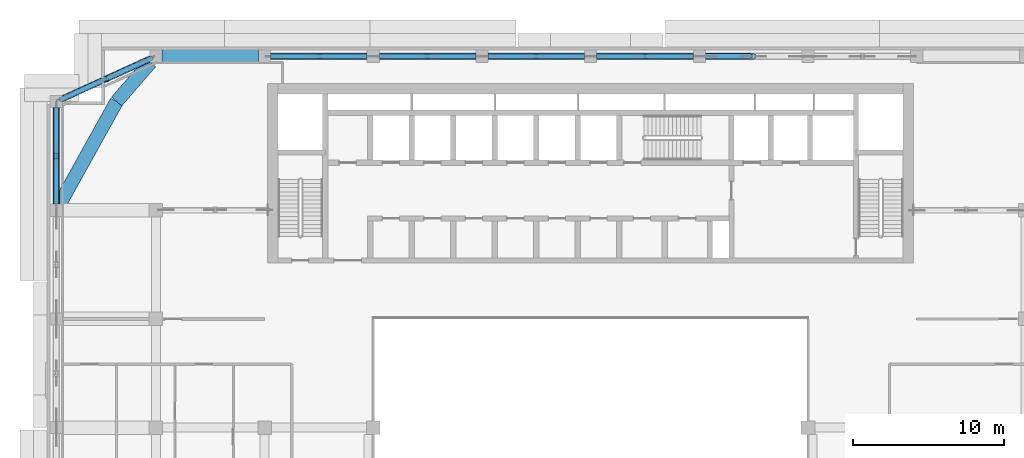
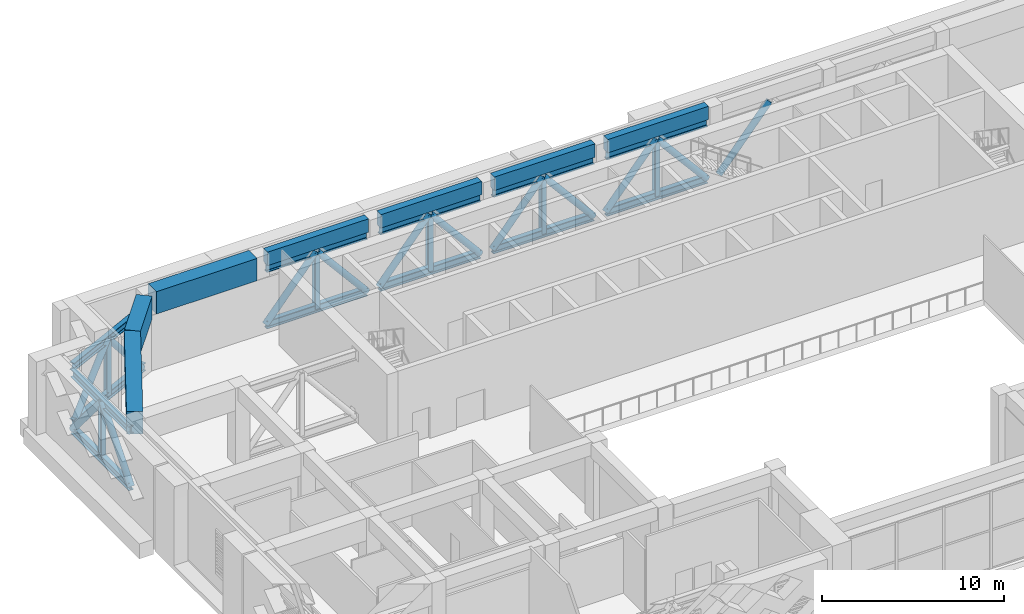
# One storey, part 6 of 20: 31 members, 7 beams.
"""IFC4 building model written with IfcOpenShell, lengths in metres."""

from ifc_helpers import new_model, si_unit, direction, frame, origin, origin_2d, place, context, subcontext, project, spatial, rectangle, hollow_circle, i_section, extrude, source, transform, mapped, material, material_profile, profile_set, type_object, element, save


model = new_model("IFC4")

# Units and contexts
model_context = context("Model", 3, precision=1e-05, world=origin(), true_north=direction((0.0, 1.0)))
body_context = subcontext(model_context, "Body", "Model", "MODEL_VIEW")
ifc_project = project(units=[si_unit("LENGTHUNIT", "METRE"), si_unit("AREAUNIT", "SQUARE_METRE"), si_unit("VOLUMEUNIT", "CUBIC_METRE"), si_unit("PLANEANGLEUNIT", "RADIAN"), si_unit("MASSUNIT", "GRAM", prefix="KILO")], contexts=[model_context])

# Site, building, storey
site_placement = place(None, origin())
site = spatial("IfcSite", under=ifc_project, at=site_placement, CompositionType="ELEMENT")
building_placement = place(site_placement, origin())
building = spatial("IfcBuilding", under=site, at=building_placement, Name="Saffron Iwan Residences", CompositionType="ELEMENT")
storey_placement = place(building_placement, frame((0.0, 0.0, 206.0)))
storey = spatial("IfcBuildingStorey", under=building, at=storey_placement, Name="L55", CompositionType="ELEMENT", Elevation=206.0)

# Beams
ifc_material_1 = material(Name="Concrete C50/60", Category="concrete")
ifc_material_profile_1 = material_profile(ifc_material_1, rectangle(XDim=0.449951171875, YDim=0.89990234375, at=origin_2d()), Name="RC 450x900")
ifc_profile_set_1 = profile_set([ifc_material_profile_1], Name="Concrete C50/60")
beam_type_1 = type_object("IfcBeamType", Name="SPANDREL BEAM RC 450x900 C50/60 TOP 5220", PredefinedType="SPANDREL", material=ifc_profile_set_1)
shared_shape_1 = source(origin(), body_context, "Body", "SweptSolid", [
    extrude(rectangle(XDim=0.449951171875, YDim=0.89990234375, at=origin_2d()), origin(), (0.0, 0.0, 1.0), 6.400146484375),
])
for number, where, z_axis, x_axis, name in (
    (1, (29.199951171875, 79.800048828125, 4.77001953125), (1.0, 0.0, 0.0), (0.0, 1.0, 0.0), "Spandrel beam"),
    (2, (36.39990234375, 79.800048828125, 4.77001953125), (1.0, 0.0, 0.0), (0.0, 1.0, 0.0), "Spandrel beam"),
):
    element("IfcBeam", number, at=place(storey_placement, frame(where, z_axis=z_axis, x_axis=x_axis)), inside=storey, type_object=beam_type_1, Name=name, PredefinedType="SPANDREL", context=body_context, shape_type="MappedRepresentation", body=[
        mapped(shared_shape_1, transform((0.0, 0.0, 0.0))),
    ])
shared_shape_2 = source(origin(), body_context, "Body", "SweptSolid", [
    extrude(rectangle(XDim=0.449951171875, YDim=0.89990234375, at=origin_2d()), origin(), (0.0, 0.0, 1.0), 6.39990234375),
])
for number, where, z_axis, x_axis, name in (
    (3, (43.60009765625, 79.800048828125, 4.77001953125), (1.0, 0.0, 0.0), (0.0, 1.0, 0.0), "Spandrel beam"),
    (4, (50.800048828125, 79.800048828125, 4.77001953125), (1.0, 0.0, 0.0), (0.0, 1.0, 0.0), "Spandrel beam"),
):
    element("IfcBeam", number, at=place(storey_placement, frame(where, z_axis=z_axis, x_axis=x_axis)), inside=storey, type_object=beam_type_1, Name=name, PredefinedType="SPANDREL", context=body_context, shape_type="MappedRepresentation", body=[
        mapped(shared_shape_2, transform((0.0, 0.0, 0.0))),
    ])
ifc_material_profile_2 = material_profile(ifc_material_1, rectangle(XDim=0.89990234375, YDim=1.5, at=origin_2d()), Name="RC 900x1500")
ifc_profile_set_2 = profile_set([ifc_material_profile_2], Name="Concrete C50/60")
beam_type_2 = type_object("IfcBeamType", Name="TRANSFER GIRDER RC 900x1500 C50/60 TOP 5220", PredefinedType="BEAM", material=ifc_profile_set_2)
shared_shape_3 = source(origin(), body_context, "Body", "SweptSolid", [
    extrude(rectangle(XDim=0.89990234375, YDim=1.5, at=origin_2d()), origin(), (0.0, 0.0, 1.0), 3.4404296875),
])
beam_1_placement = place(storey_placement, frame((21.25341796875, 79.39990234375, 4.469970703125), z_axis=(-0.654965657768, -0.755658644591, 0.0), x_axis=(0.755658644591, -0.654965657768, 0.0)))
element("IfcBeam", 5, at=beam_1_placement, inside=storey, type_object=beam_type_2, Name="Transfer girder", PredefinedType="BEAM", context=body_context, shape_type="MappedRepresentation", body=[
    mapped(shared_shape_3, transform((0.0, 0.0, 0.0))),
])
shared_shape_4 = source(origin(), body_context, "Body", "SweptSolid", [
    extrude(rectangle(XDim=0.89990234375, YDim=1.5, at=origin_2d()), origin(), (0.0, 0.0, 1.0), 7.779052734375),
])
beam_2_placement = place(storey_placement, frame((15.22216796875, 70.0, 4.469970703125), z_axis=(0.485645595908, 0.874155795711, 0.0), x_axis=(-0.874155795711, 0.485645595908, 0.0)))
element("IfcBeam", 6, at=beam_2_placement, inside=storey, type_object=beam_type_2, Name="Transfer girder", PredefinedType="BEAM", context=body_context, shape_type="MappedRepresentation", body=[
    mapped(shared_shape_4, transform((0.0, 0.0, 0.0))),
])
shared_shape_5 = source(origin(), body_context, "Body", "SweptSolid", [
    extrude(rectangle(XDim=0.89990234375, YDim=1.5, at=origin_2d()), origin(), (0.0, 0.0, 1.0), 6.39990234375),
])
beam_3_placement = place(storey_placement, frame((22.0, 79.800048828125, 4.469970703125), z_axis=(1.0, 0.0, 0.0), x_axis=(0.0, 1.0, 0.0)))
element("IfcBeam", 7, at=beam_3_placement, inside=storey, type_object=beam_type_2, Name="Transfer girder", PredefinedType="BEAM", context=body_context, shape_type="MappedRepresentation", body=[
    mapped(shared_shape_5, transform((0.0, 0.0, 0.0))),
])

# Members
ifc_material_2 = material(Name="Steel S355", Category="steel")
ifc_material_profile_3 = material_profile(ifc_material_2, i_section(OverallWidth=0.305908203125, OverallDepth=0.52392578125, WebThickness=0.02099609375, FlangeThickness=0.0400390625, FilletRadius=0.027099609375, at=origin_2d()), Name="HE 500 M")
ifc_profile_set_3 = profile_set([ifc_material_profile_3], Name="Steel S355")
member_type_1 = type_object("IfcMemberType", Name="BELT TRUSS CHORD HE 500 M S355", PredefinedType="CHORD", material=ifc_profile_set_3)
shared_shape_6 = source(origin(), body_context, "Body", "SweptSolid", [
    extrude(i_section(OverallWidth=0.305908203125, OverallDepth=0.52392578125, WebThickness=0.02099609375, FlangeThickness=0.0400390625, FilletRadius=0.027099609375, at=origin_2d()), origin(), (0.0, 0.0, 1.0), 6.400146484375),
])
for number, where, z_axis, x_axis, name in (
    (8, (29.199951171875, 79.800048828125, 0.261962890625), (1.0, 0.0, 0.0), (0.0, 1.0, 0.0), "Belt truss chord L55"),
    (9, (29.199951171875, 79.800048828125, 4.05810546875), (1.0, 0.0, 0.0), (0.0, 1.0, 0.0), "Belt truss chord L55"),
    (10, (36.39990234375, 79.800048828125, 0.261962890625), (1.0, 0.0, 0.0), (0.0, 1.0, 0.0), "Belt truss chord L55"),
    (11, (36.39990234375, 79.800048828125, 4.05810546875), (1.0, 0.0, 0.0), (0.0, 1.0, 0.0), "Belt truss chord L55"),
):
    element("IfcMember", number, at=place(storey_placement, frame(where, z_axis=z_axis, x_axis=x_axis)), inside=storey, type_object=member_type_1, Name=name, PredefinedType="CHORD", context=body_context, shape_type="MappedRepresentation", body=[
        mapped(shared_shape_6, transform((0.0, 0.0, 0.0))),
    ])
ifc_material_profile_4 = material_profile(ifc_material_2, hollow_circle(Radius=0.203125, WallThickness=0.01611328125, at=origin_2d()), Name="CHS 406.4x16")
ifc_profile_set_4 = profile_set([ifc_material_profile_4], Name="Steel S355")
member_type_2 = type_object("IfcMemberType", Name="BELT TRUSS DIAGONAL CHS 406.4x16 S355", PredefinedType="BRACE", material=ifc_profile_set_4)
shared_shape_7 = source(origin(), body_context, "Body", "SweptSolid", [
    extrude(hollow_circle(Radius=0.203125, WallThickness=0.01611328125, at=origin_2d()), origin(), (0.0, 0.0, 1.0), 4.965087890625),
])
for number, where, z_axis, x_axis, name in (
    (12, (32.39990234375, 79.800048828125, 4.05810546875), (0.64454146038, 0.0, -0.764569359738), (0.0, 1.0, 0.0), "Belt truss diagonal L55"),
    (13, (36.39990234375, 79.800048828125, 0.261962890625), (0.64454146038, 0.0, 0.764569359738), (0.0, 1.0, 0.0), "Belt truss diagonal L55"),
):
    element("IfcMember", number, at=place(storey_placement, frame(where, z_axis=z_axis, x_axis=x_axis)), inside=storey, type_object=member_type_2, Name=name, PredefinedType="BRACE", context=body_context, shape_type="MappedRepresentation", body=[
        mapped(shared_shape_7, transform((0.0, 0.0, 0.0))),
    ])
shared_shape_8 = source(origin(), body_context, "Body", "SweptSolid", [
    extrude(hollow_circle(Radius=0.203125, WallThickness=0.01611328125, at=origin_2d()), origin(), (0.0, 0.0, 1.0), 4.96484375),
])
for number, where, z_axis, x_axis, name in (
    (14, (15.0, 70.0, 0.261962890625), (0.0, 0.644512714947, 0.764593591571), (-1.0, 0.0, 0.0), "Belt truss diagonal L55"),
    (15, (15.0, 73.199951171875, 4.05810546875), (0.0, 0.644512714947, -0.764593591571), (-1.0, 0.0, 0.0), "Belt truss diagonal L55"),
    (16, (29.199951171875, 79.800048828125, 0.261962890625), (0.644512714947, 0.0, 0.764593591571), (0.0, 1.0, 0.0), "Belt truss diagonal L55"),
    (17, (39.60009765625, 79.800048828125, 4.05810546875), (0.644512714947, 0.0, -0.764593591571), (0.0, 1.0, 0.0), "Belt truss diagonal L55"),
    (18, (43.60009765625, 79.800048828125, 0.261962890625), (0.644512714947, 0.0, 0.764593591571), (0.0, 1.0, 0.0), "Belt truss diagonal L55"),
    (19, (46.800048828125, 79.800048828125, 4.05810546875), (0.644512714947, 0.0, -0.764593591571), (0.0, 1.0, 0.0), "Belt truss diagonal L55"),
    (20, (50.800048828125, 79.800048828125, 0.261962890625), (0.644512714947, 0.0, 0.764593591571), (0.0, 1.0, 0.0), "Belt truss diagonal L55"),
    (21, (54.0, 79.800048828125, 4.05810546875), (0.644512714947, 0.0, -0.764593591571), (0.0, 1.0, 0.0), "Belt truss diagonal L55"),
    (22, (58.0, 79.800048828125, 0.261962890625), (0.644512714947, 0.0, 0.764593591571), (0.0, 1.0, 0.0), "Belt truss diagonal L55"),
):
    element("IfcMember", number, at=place(storey_placement, frame(where, z_axis=z_axis, x_axis=x_axis)), inside=storey, type_object=member_type_2, Name=name, PredefinedType="BRACE", context=body_context, shape_type="MappedRepresentation", body=[
        mapped(shared_shape_8, transform((0.0, 0.0, 0.0))),
    ])
ifc_material_profile_5 = material_profile(ifc_material_2, i_section(OverallWidth=0.300048828125, OverallDepth=0.360107421875, WebThickness=0.012451171875, FlangeThickness=0.0224609375, FilletRadius=0.027099609375, at=origin_2d()), Name="HE 360 B")
ifc_profile_set_5 = profile_set([ifc_material_profile_5], Name="Steel S355")
member_type_3 = type_object("IfcMemberType", Name="BELT TRUSS POST HE 360 B S355", PredefinedType="POST", material=ifc_profile_set_5)
shared_shape_9 = source(origin(), body_context, "Body", "SweptSolid", [
    extrude(i_section(OverallWidth=0.300048828125, OverallDepth=0.360107421875, WebThickness=0.012451171875, FlangeThickness=0.0224609375, FilletRadius=0.027099609375, at=origin_2d()), origin(), (0.0, 0.0, 1.0), 3.796142578125),
])
for number, where, z_axis, x_axis, name in (
    (23, (15.0, 73.199951171875, 0.261962890625), (0.0, 0.0, 1.0), (1.0, 0.0, 0.0), "Belt truss post L55"),
    (24, (18.300048828125, 78.300048828125, 0.261962890625), (0.0, 0.0, 1.0), (1.0, 0.0, 0.0), "Belt truss post L55"),
    (25, (32.39990234375, 79.800048828125, 0.261962890625), (0.0, 0.0, 1.0), (1.0, 0.0, 0.0), "Belt truss post L55"),
    (26, (39.60009765625, 79.800048828125, 0.261962890625), (0.0, 0.0, 1.0), (1.0, 0.0, 0.0), "Belt truss post L55"),
    (27, (46.800048828125, 79.800048828125, 0.261962890625), (0.0, 0.0, 1.0), (1.0, 0.0, 0.0), "Belt truss post L55"),
    (28, (54.0, 79.800048828125, 0.261962890625), (0.0, 0.0, 1.0), (1.0, 0.0, 0.0), "Belt truss post L55"),
):
    element("IfcMember", number, at=place(storey_placement, frame(where, z_axis=z_axis, x_axis=x_axis)), inside=storey, type_object=member_type_3, Name=name, PredefinedType="POST", context=body_context, shape_type="MappedRepresentation", body=[
        mapped(shared_shape_9, transform((0.0, 0.0, 0.0))),
    ])
shared_shape_10 = source(origin(), body_context, "Body", "SweptSolid", [
    extrude(i_section(OverallWidth=0.305908203125, OverallDepth=0.52392578125, WebThickness=0.02099609375, FlangeThickness=0.0400390625, FilletRadius=0.027099609375, at=origin_2d()), origin(), (0.0, 0.0, 1.0), 6.39990234375),
])
for number, where, z_axis, x_axis, name in (
    (29, (15.0, 70.0, 0.261962890625), (0.0, 1.0, 0.0), (-1.0, 0.0, 0.0), "Belt truss chord L55"),
    (30, (15.0, 70.0, 4.05810546875), (0.0, 1.0, 0.0), (-1.0, 0.0, 0.0), "Belt truss chord L55"),
    (31, (43.60009765625, 79.800048828125, 0.261962890625), (1.0, 0.0, 0.0), (0.0, 1.0, 0.0), "Belt truss chord L55"),
    (32, (43.60009765625, 79.800048828125, 4.05810546875), (1.0, 0.0, 0.0), (0.0, 1.0, 0.0), "Belt truss chord L55"),
    (33, (50.800048828125, 79.800048828125, 0.261962890625), (1.0, 0.0, 0.0), (0.0, 1.0, 0.0), "Belt truss chord L55"),
    (34, (50.800048828125, 79.800048828125, 4.05810546875), (1.0, 0.0, 0.0), (0.0, 1.0, 0.0), "Belt truss chord L55"),
):
    element("IfcMember", number, at=place(storey_placement, frame(where, z_axis=z_axis, x_axis=x_axis)), inside=storey, type_object=member_type_1, Name=name, PredefinedType="CHORD", context=body_context, shape_type="MappedRepresentation", body=[
        mapped(shared_shape_10, transform((0.0, 0.0, 0.0))),
    ])
shared_shape_11 = source(origin(), body_context, "Body", "SweptSolid", [
    extrude(i_section(OverallWidth=0.305908203125, OverallDepth=0.52392578125, WebThickness=0.02099609375, FlangeThickness=0.0400390625, FilletRadius=0.027099609375, at=origin_2d()), origin(), (0.0, 0.0, 1.0), 6.777099609375),
])
for number, where, z_axis, x_axis, name in (
    (35, (15.215087890625, 76.897705078125, 0.261962890625), (0.910364010045, 0.413808372577, 0.0), (-0.413808372577, 0.910364010045, 0.0), "Belt truss chord L55"),
    (36, (15.215087890625, 76.897705078125, 4.05810546875), (0.910364010045, 0.413808372577, 0.0), (-0.413808372577, 0.910364010045, 0.0), "Belt truss chord L55"),
):
    element("IfcMember", number, at=place(storey_placement, frame(where, z_axis=z_axis, x_axis=x_axis)), inside=storey, type_object=member_type_1, Name=name, PredefinedType="CHORD", context=body_context, shape_type="MappedRepresentation", body=[
        mapped(shared_shape_11, transform((0.0, 0.0, 0.0))),
    ])
shared_shape_12 = source(origin(), body_context, "Body", "SweptSolid", [
    extrude(hollow_circle(Radius=0.203125, WallThickness=0.01611328125, at=origin_2d()), origin(), (0.0, 0.0, 1.0), 4.955810546875),
])
member_1_placement = place(storey_placement, frame((15.39990234375, 76.981689453125, 0.261962890625), z_axis=(0.585206467214, 0.266025332347, 0.766005165309), x_axis=(-0.413831813639, 0.910353354484, 0.0)))
element("IfcMember", 37, at=member_1_placement, inside=storey, type_object=member_type_2, Name="Belt truss diagonal L55", PredefinedType="BRACE", context=body_context, shape_type="MappedRepresentation", body=[
    mapped(shared_shape_12, transform((0.0, 0.0, 0.0))),
])
shared_shape_13 = source(origin(), body_context, "Body", "SweptSolid", [
    extrude(hollow_circle(Radius=0.203125, WallThickness=0.01611328125, at=origin_2d()), origin(), (0.0, 0.0, 1.0), 4.95556640625),
])
member_2_placement = place(storey_placement, frame((18.300048828125, 78.300048828125, 4.05810546875), z_axis=(0.585181741978, 0.26598722217, -0.766037287929), x_axis=(-0.413797169798, 0.910369102215, 0.0)))
element("IfcMember", 38, at=member_2_placement, inside=storey, type_object=member_type_2, Name="Belt truss diagonal L55", PredefinedType="BRACE", context=body_context, shape_type="MappedRepresentation", body=[
    mapped(shared_shape_13, transform((0.0, 0.0, 0.0))),
])

save(model, "model.ifc")
